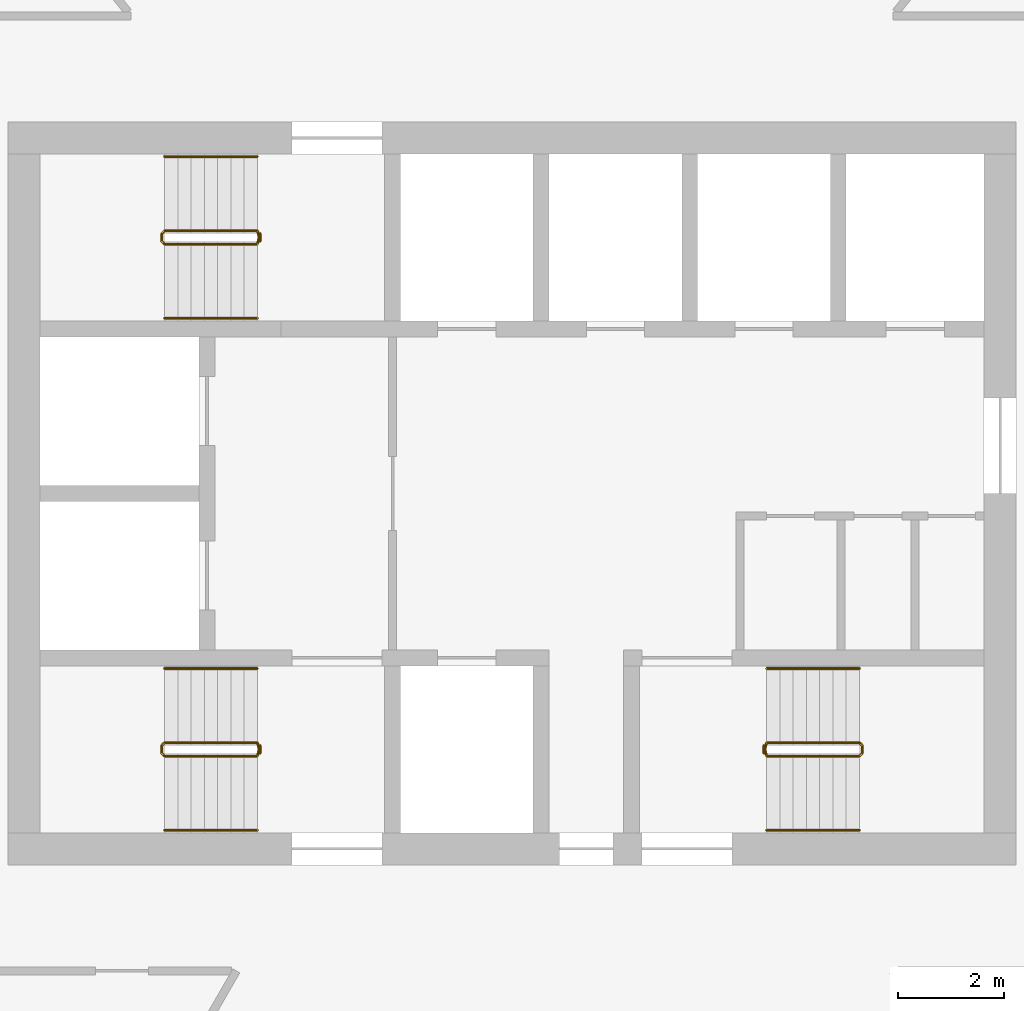
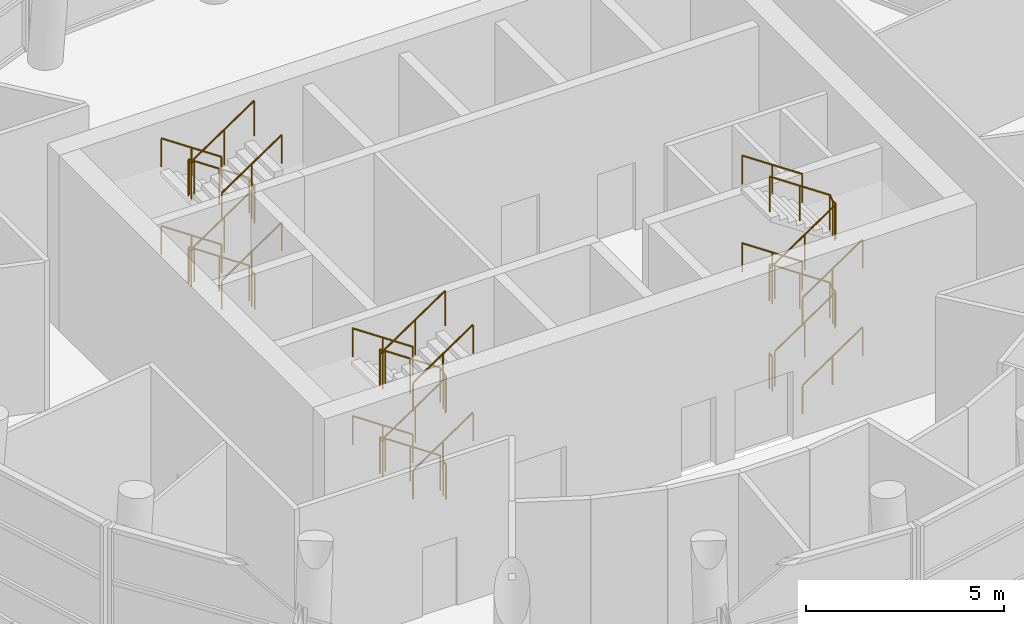
# One storey, part 10 of 11: 18 railings.
"""IFC4 building model written with IfcOpenShell, lengths in metres."""

from ifc_helpers import new_model, si_unit, direction, frame, origin, origin_2d, place, context, subcontext, project, spatial, circle, extrude, material, type_object, element, save


model = new_model("IFC4")

# Units and contexts
model_context = context("Model", 3, precision=1e-05, world=origin(), true_north=direction((0.0, 1.0)))
body_context = subcontext(model_context, "Body", "Model", "MODEL_VIEW")
ifc_project = project(units=[si_unit("LENGTHUNIT", "METRE"), si_unit("AREAUNIT", "SQUARE_METRE"), si_unit("VOLUMEUNIT", "CUBIC_METRE"), si_unit("PLANEANGLEUNIT", "RADIAN"), si_unit("MASSUNIT", "GRAM", prefix="KILO")], contexts=[model_context])

# Site, building, storey
site_placement = place(None, origin())
site = spatial("IfcSite", under=ifc_project, at=site_placement, CompositionType="ELEMENT")
building_placement = place(site_placement, origin())
building = spatial("IfcBuilding", under=site, at=building_placement, Name="Tracery Tower", CompositionType="ELEMENT")
storey_placement = place(building_placement, frame((0.0, 0.0, 346.800048828125)))
storey = spatial("IfcBuildingStorey", under=building, at=storey_placement, Name="L89", CompositionType="ELEMENT", Elevation=346.800048828125)

# Railings
ifc_material_1 = material(Name="Stainless steel and laminated glass", Category="steel")
railing_type_1 = type_object("IfcRailingType", Name="Stair guard 1100", PredefinedType="GUARDRAIL", material=ifc_material_1)
railing_1_placement = place(storey_placement, frame((-4.800048828125, -4.699951171875, 0.168701171875)))
element("IfcRailing", 1, at=railing_1_placement, inside=storey, type_object=railing_type_1, Name="L89 stair ST1 guard 1", PredefinedType="GUARDRAIL", context=body_context, shape_type="SweptSolid", body=[
    extrude(circle(Radius=0.02392578125, at=origin_2d()), frame((0.0, 0.0, 1.076171875), z_axis=(-0.828870122254, 0.0, 0.559441078608), x_axis=(0.0, -1.0, 0.0)), (0.0, 0.0, 1.0), 2.111328125),
    extrude(circle(Radius=0.02392578125, at=origin_2d()), frame((-1.75, 0.0, 2.25732421875), z_axis=(-0.707106781187, -0.707106781187, 0.0), x_axis=(0.707106781187, -0.707106781187, 0.0)), (0.0, 0.0, 1.0), 0.07080078125),
    extrude(circle(Radius=0.02392578125, at=origin_2d()), frame((-1.800048828125, -0.050048828125, 2.25732421875), z_axis=(0.0, -1.0, 0.0), x_axis=(1.0, 0.0, 0.0)), (0.0, 0.0, 1.0), 0.14990234375),
    extrude(circle(Radius=0.02392578125, at=origin_2d()), frame((-1.800048828125, -0.199951171875, 2.25732421875), z_axis=(0.273232802156, -0.273232802156, 0.922327312645), x_axis=(0.707106781187, 0.707106781187, 0.0)), (0.0, 0.0, 1.0), 0.18310546875),
    extrude(circle(Radius=0.02392578125, at=origin_2d()), frame((-1.75, -0.25, 2.42626953125), z_axis=(0.828870122254, 0.0, 0.559441078608), x_axis=(0.0, 1.0, 0.0)), (0.0, 0.0, 1.0), 2.111328125),
    extrude(circle(Radius=0.02392578125, at=origin_2d()), frame((0.0, -0.25, 3.607421875), z_axis=(0.242814311512, 0.970072785993, 0.0), x_axis=(-0.970072785993, 0.242814311512, 0.0)), (0.0, 0.0, 1.0), 0.2060546875),
    extrude(circle(Radius=0.02392578125, at=origin_2d()), frame((0.050048828125, -0.050048828125, 3.607421875), z_axis=(0.0, -1.0, 0.0), x_axis=(1.0, 0.0, 0.0)), (0.0, 0.0, 1.0), 0.14990234375),
    extrude(circle(Radius=0.02392578125, at=origin_2d()), frame((0.050048828125, -0.199951171875, 3.607421875), z_axis=(-0.187902113298, 0.750691857518, 0.633367611166), x_axis=(-0.970072785993, -0.242814311512, 0.0)), (0.0, 0.0, 1.0), 0.266357421875),
    extrude(circle(Radius=0.02392578125, at=origin_2d()), frame((0.0, 0.0, 3.77587890625), z_axis=(-0.828816501605, 0.0, 0.559520514965), x_axis=(0.0, -1.0, 0.0)), (0.0, 0.0, 1.0), 2.111328125),
    extrude(circle(Radius=0.02392578125, at=origin_2d()), frame((-1.75, 0.0, 4.95751953125), z_axis=(-0.707106781187, -0.707106781187, 0.0), x_axis=(0.707106781187, -0.707106781187, 0.0)), (0.0, 0.0, 1.0), 0.07080078125),
    extrude(circle(Radius=0.02392578125, at=origin_2d()), frame((-1.800048828125, -0.050048828125, 4.95751953125), z_axis=(0.0, -1.0, 0.0), x_axis=(1.0, 0.0, 0.0)), (0.0, 0.0, 1.0), 0.14990234375),
    extrude(circle(Radius=0.02392578125, at=origin_2d()), frame((-1.800048828125, -0.199951171875, 4.95751953125), z_axis=(0.273569069059, -0.273569069059, 0.922127935218), x_axis=(0.707106781187, 0.707106781187, 0.0)), (0.0, 0.0, 1.0), 0.182861328125),
    extrude(circle(Radius=0.02392578125, at=origin_2d()), frame((-1.75, -0.25, 5.1259765625), z_axis=(0.828870122254, 0.0, 0.559441078608), x_axis=(0.0, 1.0, 0.0)), (0.0, 0.0, 1.0), 2.111328125),
    extrude(circle(Radius=0.02099609375, at=origin_2d()), origin(), (0.0, 0.0, 1.0), 1.052001953125),
    extrude(circle(Radius=0.02099609375, at=origin_2d()), frame((-0.875, 0.0, 0.590576171875)), (0.0, 0.0, 1.0), 1.052001953125),
    extrude(circle(Radius=0.02099609375, at=origin_2d()), frame((-1.75, 0.0, 1.18115234375)), (0.0, 0.0, 1.0), 1.052001953125),
    extrude(circle(Radius=0.02099609375, at=origin_2d()), frame((-1.800048828125, -0.050048828125, 1.18115234375)), (0.0, 0.0, 1.0), 1.052001953125),
    extrude(circle(Radius=0.02099609375, at=origin_2d()), frame((-1.800048828125, -0.199951171875, 1.18115234375)), (0.0, 0.0, 1.0), 1.052001953125),
    extrude(circle(Radius=0.02099609375, at=origin_2d()), frame((-1.75, -0.25, 1.35009765625)), (0.0, 0.0, 1.0), 1.052001953125),
    extrude(circle(Radius=0.02099609375, at=origin_2d()), frame((-0.875, -0.25, 1.940673828125)), (0.0, 0.0, 1.0), 1.052001953125),
    extrude(circle(Radius=0.02099609375, at=origin_2d()), frame((0.0, -0.25, 2.53125)), (0.0, 0.0, 1.0), 1.052001953125),
    extrude(circle(Radius=0.02099609375, at=origin_2d()), frame((0.050048828125, -0.050048828125, 2.53125)), (0.0, 0.0, 1.0), 1.052001953125),
    extrude(circle(Radius=0.02099609375, at=origin_2d()), frame((0.050048828125, -0.199951171875, 2.53125)), (0.0, 0.0, 1.0), 1.052001953125),
    extrude(circle(Radius=0.02099609375, at=origin_2d()), frame((0.0, 0.0, 2.699951171875)), (0.0, 0.0, 1.0), 1.052001953125),
    extrude(circle(Radius=0.02099609375, at=origin_2d()), frame((-0.875, 0.0, 3.29052734375)), (0.0, 0.0, 1.0), 1.052001953125),
    extrude(circle(Radius=0.02099609375, at=origin_2d()), frame((-1.75, 0.0, 3.88134765625)), (0.0, 0.0, 1.0), 1.052001953125),
    extrude(circle(Radius=0.02099609375, at=origin_2d()), frame((-1.800048828125, -0.050048828125, 3.88134765625)), (0.0, 0.0, 1.0), 1.052001953125),
    extrude(circle(Radius=0.02099609375, at=origin_2d()), frame((-1.800048828125, -0.199951171875, 3.88134765625)), (0.0, 0.0, 1.0), 1.052001953125),
    extrude(circle(Radius=0.02099609375, at=origin_2d()), frame((-1.75, -0.25, 4.050048828125)), (0.0, 0.0, 1.0), 1.052001953125),
    extrude(circle(Radius=0.02099609375, at=origin_2d()), frame((-0.875, -0.25, 4.640625)), (0.0, 0.0, 1.0), 1.052001953125),
    extrude(circle(Radius=0.02099609375, at=origin_2d()), frame((0.0, -0.25, 5.231201171875)), (0.0, 0.0, 1.0), 1.052001953125),
])
railing_2_placement = place(storey_placement, frame((-4.75, -4.75, 0.0)))
element("IfcRailing", 2, at=railing_2_placement, inside=storey, type_object=railing_type_1, Name="L89 stair ST1 guard 2", PredefinedType="GUARDRAIL", context=body_context, shape_type="SweptSolid", body=[
    extrude(circle(Radius=0.02392578125, at=origin_2d()), frame((0.0, 0.0, 1.076171875), z_axis=(0.0, -1.0, 0.0), x_axis=(1.0, 0.0, 0.0)), (0.0, 0.0, 1.0), 0.14990234375),
    extrude(circle(Radius=0.02099609375, at=origin_2d()), origin(), (0.0, 0.0, 1.0), 1.052001953125),
    extrude(circle(Radius=0.02099609375, at=origin_2d()), frame((0.0, -0.14990234375, 0.0)), (0.0, 0.0, 1.0), 1.052001953125),
])
railing_3_placement = place(storey_placement, frame((-4.800048828125, 4.949951171875, 0.168701171875)))
element("IfcRailing", 3, at=railing_3_placement, inside=storey, type_object=railing_type_1, Name="L89 stair ST3 guard 1", PredefinedType="GUARDRAIL", context=body_context, shape_type="SweptSolid", body=[
    extrude(circle(Radius=0.02392578125, at=origin_2d()), frame((0.0, 0.0, 1.076171875), z_axis=(-0.828870122254, 0.0, 0.559441078608), x_axis=(0.0, -1.0, 0.0)), (0.0, 0.0, 1.0), 2.111328125),
    extrude(circle(Radius=0.02392578125, at=origin_2d()), frame((-1.75, 0.0, 2.25732421875), z_axis=(-0.707106781187, -0.707106781187, 0.0), x_axis=(0.707106781187, -0.707106781187, 0.0)), (0.0, 0.0, 1.0), 0.07080078125),
    extrude(circle(Radius=0.02392578125, at=origin_2d()), frame((-1.800048828125, -0.050048828125, 2.25732421875), z_axis=(0.0, -1.0, 0.0), x_axis=(1.0, 0.0, 0.0)), (0.0, 0.0, 1.0), 0.14990234375),
    extrude(circle(Radius=0.02392578125, at=origin_2d()), frame((-1.800048828125, -0.199951171875, 2.25732421875), z_axis=(0.273232802156, -0.273232802156, 0.922327312645), x_axis=(0.707106781187, 0.707106781187, 0.0)), (0.0, 0.0, 1.0), 0.18310546875),
    extrude(circle(Radius=0.02392578125, at=origin_2d()), frame((-1.75, -0.25, 2.42626953125), z_axis=(0.828870122254, 0.0, 0.559441078608), x_axis=(0.0, 1.0, 0.0)), (0.0, 0.0, 1.0), 2.111328125),
    extrude(circle(Radius=0.02392578125, at=origin_2d()), frame((0.0, -0.25, 3.607421875), z_axis=(0.242814311512, 0.970072785993, 0.0), x_axis=(-0.970072785993, 0.242814311512, 0.0)), (0.0, 0.0, 1.0), 0.2060546875),
    extrude(circle(Radius=0.02392578125, at=origin_2d()), frame((0.050048828125, -0.050048828125, 3.607421875), z_axis=(0.0, -1.0, 0.0), x_axis=(1.0, 0.0, 0.0)), (0.0, 0.0, 1.0), 0.14990234375),
    extrude(circle(Radius=0.02392578125, at=origin_2d()), frame((0.050048828125, -0.199951171875, 3.607421875), z_axis=(-0.187902113298, 0.750691857518, 0.633367611166), x_axis=(-0.970072785993, -0.242814311512, 0.0)), (0.0, 0.0, 1.0), 0.266357421875),
    extrude(circle(Radius=0.02392578125, at=origin_2d()), frame((0.0, 0.0, 3.77587890625), z_axis=(-0.828816501605, 0.0, 0.559520514965), x_axis=(0.0, -1.0, 0.0)), (0.0, 0.0, 1.0), 2.111328125),
    extrude(circle(Radius=0.02392578125, at=origin_2d()), frame((-1.75, 0.0, 4.95751953125), z_axis=(-0.707106781187, -0.707106781187, 0.0), x_axis=(0.707106781187, -0.707106781187, 0.0)), (0.0, 0.0, 1.0), 0.07080078125),
    extrude(circle(Radius=0.02392578125, at=origin_2d()), frame((-1.800048828125, -0.050048828125, 4.95751953125), z_axis=(0.0, -1.0, 0.0), x_axis=(1.0, 0.0, 0.0)), (0.0, 0.0, 1.0), 0.14990234375),
    extrude(circle(Radius=0.02392578125, at=origin_2d()), frame((-1.800048828125, -0.199951171875, 4.95751953125), z_axis=(0.273569069059, -0.273569069059, 0.922127935218), x_axis=(0.707106781187, 0.707106781187, 0.0)), (0.0, 0.0, 1.0), 0.182861328125),
    extrude(circle(Radius=0.02392578125, at=origin_2d()), frame((-1.75, -0.25, 5.1259765625), z_axis=(0.828870122254, 0.0, 0.559441078608), x_axis=(0.0, 1.0, 0.0)), (0.0, 0.0, 1.0), 2.111328125),
    extrude(circle(Radius=0.02099609375, at=origin_2d()), origin(), (0.0, 0.0, 1.0), 1.052001953125),
    extrude(circle(Radius=0.02099609375, at=origin_2d()), frame((-0.875, 0.0, 0.590576171875)), (0.0, 0.0, 1.0), 1.052001953125),
    extrude(circle(Radius=0.02099609375, at=origin_2d()), frame((-1.75, 0.0, 1.18115234375)), (0.0, 0.0, 1.0), 1.052001953125),
    extrude(circle(Radius=0.02099609375, at=origin_2d()), frame((-1.800048828125, -0.050048828125, 1.18115234375)), (0.0, 0.0, 1.0), 1.052001953125),
    extrude(circle(Radius=0.02099609375, at=origin_2d()), frame((-1.800048828125, -0.199951171875, 1.18115234375)), (0.0, 0.0, 1.0), 1.052001953125),
    extrude(circle(Radius=0.02099609375, at=origin_2d()), frame((-1.75, -0.25, 1.35009765625)), (0.0, 0.0, 1.0), 1.052001953125),
    extrude(circle(Radius=0.02099609375, at=origin_2d()), frame((-0.875, -0.25, 1.940673828125)), (0.0, 0.0, 1.0), 1.052001953125),
    extrude(circle(Radius=0.02099609375, at=origin_2d()), frame((0.0, -0.25, 2.53125)), (0.0, 0.0, 1.0), 1.052001953125),
    extrude(circle(Radius=0.02099609375, at=origin_2d()), frame((0.050048828125, -0.050048828125, 2.53125)), (0.0, 0.0, 1.0), 1.052001953125),
    extrude(circle(Radius=0.02099609375, at=origin_2d()), frame((0.050048828125, -0.199951171875, 2.53125)), (0.0, 0.0, 1.0), 1.052001953125),
    extrude(circle(Radius=0.02099609375, at=origin_2d()), frame((0.0, 0.0, 2.699951171875)), (0.0, 0.0, 1.0), 1.052001953125),
    extrude(circle(Radius=0.02099609375, at=origin_2d()), frame((-0.875, 0.0, 3.29052734375)), (0.0, 0.0, 1.0), 1.052001953125),
    extrude(circle(Radius=0.02099609375, at=origin_2d()), frame((-1.75, 0.0, 3.88134765625)), (0.0, 0.0, 1.0), 1.052001953125),
    extrude(circle(Radius=0.02099609375, at=origin_2d()), frame((-1.800048828125, -0.050048828125, 3.88134765625)), (0.0, 0.0, 1.0), 1.052001953125),
    extrude(circle(Radius=0.02099609375, at=origin_2d()), frame((-1.800048828125, -0.199951171875, 3.88134765625)), (0.0, 0.0, 1.0), 1.052001953125),
    extrude(circle(Radius=0.02099609375, at=origin_2d()), frame((-1.75, -0.25, 4.050048828125)), (0.0, 0.0, 1.0), 1.052001953125),
    extrude(circle(Radius=0.02099609375, at=origin_2d()), frame((-0.875, -0.25, 4.640625)), (0.0, 0.0, 1.0), 1.052001953125),
    extrude(circle(Radius=0.02099609375, at=origin_2d()), frame((0.0, -0.25, 5.231201171875)), (0.0, 0.0, 1.0), 1.052001953125),
])
railing_4_placement = place(storey_placement, frame((-4.75, 4.89990234375, 0.0)))
element("IfcRailing", 4, at=railing_4_placement, inside=storey, type_object=railing_type_1, Name="L89 stair ST3 guard 2", PredefinedType="GUARDRAIL", context=body_context, shape_type="SweptSolid", body=[
    extrude(circle(Radius=0.02392578125, at=origin_2d()), frame((0.0, 0.0, 1.076171875), z_axis=(0.0, -1.0, 0.0), x_axis=(1.0, 0.0, 0.0)), (0.0, 0.0, 1.0), 0.14990234375),
    extrude(circle(Radius=0.02099609375, at=origin_2d()), origin(), (0.0, 0.0, 1.0), 1.052001953125),
    extrude(circle(Radius=0.02099609375, at=origin_2d()), frame((0.0, -0.14990234375, 0.0)), (0.0, 0.0, 1.0), 1.052001953125),
])
railing_5_placement = place(storey_placement, frame((4.800048828125, -4.949951171875, 0.168701171875)))
element("IfcRailing", 5, at=railing_5_placement, inside=storey, type_object=railing_type_1, Name="L89 stair ST2 guard 1", PredefinedType="GUARDRAIL", context=body_context, shape_type="SweptSolid", body=[
    extrude(circle(Radius=0.02392578125, at=origin_2d()), frame((0.0, 0.0, 1.076171875), z_axis=(0.828870122254, 0.0, 0.559441078608), x_axis=(0.0, 1.0, 0.0)), (0.0, 0.0, 1.0), 2.111328125),
    extrude(circle(Radius=0.02392578125, at=origin_2d()), frame((1.75, 0.0, 2.25732421875), z_axis=(0.707106781187, 0.707106781187, 0.0), x_axis=(-0.707106781187, 0.707106781187, 0.0)), (0.0, 0.0, 1.0), 0.07080078125),
    extrude(circle(Radius=0.02392578125, at=origin_2d()), frame((1.800048828125, 0.050048828125, 2.25732421875), z_axis=(0.0, 1.0, 0.0), x_axis=(-1.0, 0.0, 0.0)), (0.0, 0.0, 1.0), 0.14990234375),
    extrude(circle(Radius=0.02392578125, at=origin_2d()), frame((1.800048828125, 0.199951171875, 2.25732421875), z_axis=(-0.273232802156, 0.273232802156, 0.922327312645), x_axis=(-0.707106781187, -0.707106781187, 0.0)), (0.0, 0.0, 1.0), 0.18310546875),
    extrude(circle(Radius=0.02392578125, at=origin_2d()), frame((1.75, 0.25, 2.42626953125), z_axis=(-0.828870122254, 0.0, 0.559441078608), x_axis=(0.0, -1.0, 0.0)), (0.0, 0.0, 1.0), 2.111328125),
    extrude(circle(Radius=0.02392578125, at=origin_2d()), frame((0.0, 0.25, 3.607421875), z_axis=(-0.242814311512, -0.970072785993, 0.0), x_axis=(0.970072785993, -0.242814311512, 0.0)), (0.0, 0.0, 1.0), 0.2060546875),
    extrude(circle(Radius=0.02392578125, at=origin_2d()), frame((-0.050048828125, 0.050048828125, 3.607421875), z_axis=(0.0, 1.0, 0.0), x_axis=(-1.0, 0.0, 0.0)), (0.0, 0.0, 1.0), 0.14990234375),
    extrude(circle(Radius=0.02392578125, at=origin_2d()), frame((-0.050048828125, 0.199951171875, 3.607421875), z_axis=(0.187902113298, -0.750691857518, 0.633367611166), x_axis=(0.970072785993, 0.242814311512, 0.0)), (0.0, 0.0, 1.0), 0.266357421875),
    extrude(circle(Radius=0.02392578125, at=origin_2d()), frame((0.0, 0.0, 3.77587890625), z_axis=(0.828816501605, 0.0, 0.559520514965), x_axis=(0.0, 1.0, 0.0)), (0.0, 0.0, 1.0), 2.111328125),
    extrude(circle(Radius=0.02392578125, at=origin_2d()), frame((1.75, 0.0, 4.95751953125), z_axis=(0.707106781187, 0.707106781187, 0.0), x_axis=(-0.707106781187, 0.707106781187, 0.0)), (0.0, 0.0, 1.0), 0.07080078125),
    extrude(circle(Radius=0.02392578125, at=origin_2d()), frame((1.800048828125, 0.050048828125, 4.95751953125), z_axis=(0.0, 1.0, 0.0), x_axis=(-1.0, 0.0, 0.0)), (0.0, 0.0, 1.0), 0.14990234375),
    extrude(circle(Radius=0.02392578125, at=origin_2d()), frame((1.800048828125, 0.199951171875, 4.95751953125), z_axis=(-0.273569069059, 0.273569069059, 0.922127935218), x_axis=(-0.707106781187, -0.707106781187, 0.0)), (0.0, 0.0, 1.0), 0.182861328125),
    extrude(circle(Radius=0.02392578125, at=origin_2d()), frame((1.75, 0.25, 5.1259765625), z_axis=(-0.828870122254, 0.0, 0.559441078608), x_axis=(0.0, -1.0, 0.0)), (0.0, 0.0, 1.0), 2.111328125),
    extrude(circle(Radius=0.02099609375, at=origin_2d()), origin(), (0.0, 0.0, 1.0), 1.052001953125),
    extrude(circle(Radius=0.02099609375, at=origin_2d()), frame((0.875, 0.0, 0.590576171875)), (0.0, 0.0, 1.0), 1.052001953125),
    extrude(circle(Radius=0.02099609375, at=origin_2d()), frame((1.75, 0.0, 1.18115234375)), (0.0, 0.0, 1.0), 1.052001953125),
    extrude(circle(Radius=0.02099609375, at=origin_2d()), frame((1.800048828125, 0.050048828125, 1.18115234375)), (0.0, 0.0, 1.0), 1.052001953125),
    extrude(circle(Radius=0.02099609375, at=origin_2d()), frame((1.800048828125, 0.199951171875, 1.18115234375)), (0.0, 0.0, 1.0), 1.052001953125),
    extrude(circle(Radius=0.02099609375, at=origin_2d()), frame((1.75, 0.25, 1.35009765625)), (0.0, 0.0, 1.0), 1.052001953125),
    extrude(circle(Radius=0.02099609375, at=origin_2d()), frame((0.875, 0.25, 1.940673828125)), (0.0, 0.0, 1.0), 1.052001953125),
    extrude(circle(Radius=0.02099609375, at=origin_2d()), frame((0.0, 0.25, 2.53125)), (0.0, 0.0, 1.0), 1.052001953125),
    extrude(circle(Radius=0.02099609375, at=origin_2d()), frame((-0.050048828125, 0.050048828125, 2.53125)), (0.0, 0.0, 1.0), 1.052001953125),
    extrude(circle(Radius=0.02099609375, at=origin_2d()), frame((-0.050048828125, 0.199951171875, 2.53125)), (0.0, 0.0, 1.0), 1.052001953125),
    extrude(circle(Radius=0.02099609375, at=origin_2d()), frame((0.0, 0.0, 2.699951171875)), (0.0, 0.0, 1.0), 1.052001953125),
    extrude(circle(Radius=0.02099609375, at=origin_2d()), frame((0.875, 0.0, 3.29052734375)), (0.0, 0.0, 1.0), 1.052001953125),
    extrude(circle(Radius=0.02099609375, at=origin_2d()), frame((1.75, 0.0, 3.88134765625)), (0.0, 0.0, 1.0), 1.052001953125),
    extrude(circle(Radius=0.02099609375, at=origin_2d()), frame((1.800048828125, 0.050048828125, 3.88134765625)), (0.0, 0.0, 1.0), 1.052001953125),
    extrude(circle(Radius=0.02099609375, at=origin_2d()), frame((1.800048828125, 0.199951171875, 3.88134765625)), (0.0, 0.0, 1.0), 1.052001953125),
    extrude(circle(Radius=0.02099609375, at=origin_2d()), frame((1.75, 0.25, 4.050048828125)), (0.0, 0.0, 1.0), 1.052001953125),
    extrude(circle(Radius=0.02099609375, at=origin_2d()), frame((0.875, 0.25, 4.640625)), (0.0, 0.0, 1.0), 1.052001953125),
    extrude(circle(Radius=0.02099609375, at=origin_2d()), frame((0.0, 0.25, 5.231201171875)), (0.0, 0.0, 1.0), 1.052001953125),
])
railing_6_placement = place(storey_placement, frame((4.75, -4.89990234375, 0.0)))
element("IfcRailing", 6, at=railing_6_placement, inside=storey, type_object=railing_type_1, Name="L89 stair ST2 guard 2", PredefinedType="GUARDRAIL", context=body_context, shape_type="SweptSolid", body=[
    extrude(circle(Radius=0.02392578125, at=origin_2d()), frame((0.0, 0.0, 1.076171875), z_axis=(0.0, 1.0, 0.0), x_axis=(-1.0, 0.0, 0.0)), (0.0, 0.0, 1.0), 0.14990234375),
    extrude(circle(Radius=0.02099609375, at=origin_2d()), origin(), (0.0, 0.0, 1.0), 1.052001953125),
    extrude(circle(Radius=0.02099609375, at=origin_2d()), frame((0.0, 0.14990234375, 0.0)), (0.0, 0.0, 1.0), 1.052001953125),
])
ifc_material_2 = material(Name="Stainless steel and laminated glass", Category="steel")
railing_type_2 = type_object("IfcRailingType", Name="Stair handrail 900", PredefinedType="HANDRAIL", material=ifc_material_2)
railing_7_placement = place(storey_placement, frame((-4.800048828125, -3.300048828125, 0.168701171875)))
element("IfcRailing", 7, at=railing_7_placement, inside=storey, type_object=railing_type_2, Name="L89 stair ST1 handrail 1", PredefinedType="HANDRAIL", context=body_context, shape_type="SweptSolid", body=[
    extrude(circle(Radius=0.02392578125, at=origin_2d()), frame((0.0, 0.0, 0.8759765625), z_axis=(-0.828870122254, 0.0, 0.559441078608), x_axis=(0.0, -1.0, 0.0)), (0.0, 0.0, 1.0), 2.111328125),
    extrude(circle(Radius=0.02099609375, at=origin_2d()), origin(), (0.0, 0.0, 1.0), 0.851806640625),
    extrude(circle(Radius=0.02099609375, at=origin_2d()), frame((-0.875, 0.0, 0.590576171875)), (0.0, 0.0, 1.0), 0.851806640625),
    extrude(circle(Radius=0.02099609375, at=origin_2d()), frame((-1.75, 0.0, 1.18115234375)), (0.0, 0.0, 1.0), 0.851806640625),
])
railing_8_placement = place(storey_placement, frame((-6.550048828125, -6.35009765625, 1.518798828125)))
element("IfcRailing", 8, at=railing_8_placement, inside=storey, type_object=railing_type_2, Name="L89 stair ST1 handrail 2", PredefinedType="HANDRAIL", context=body_context, shape_type="SweptSolid", body=[
    extrude(circle(Radius=0.02392578125, at=origin_2d()), frame((0.0, 0.0, 0.8759765625), z_axis=(0.828870122254, 0.0, 0.559441078608), x_axis=(0.0, 1.0, 0.0)), (0.0, 0.0, 1.0), 2.111328125),
    extrude(circle(Radius=0.02099609375, at=origin_2d()), origin(), (0.0, 0.0, 1.0), 0.851806640625),
    extrude(circle(Radius=0.02099609375, at=origin_2d()), frame((0.875, 0.0, 0.590576171875)), (0.0, 0.0, 1.0), 0.851806640625),
    extrude(circle(Radius=0.02099609375, at=origin_2d()), frame((1.75, 0.0, 1.18115234375)), (0.0, 0.0, 1.0), 0.851806640625),
])
railing_9_placement = place(storey_placement, frame((-4.800048828125, -3.300048828125, 2.86865234375)))
element("IfcRailing", 9, at=railing_9_placement, inside=storey, type_object=railing_type_2, Name="L89 stair ST1 handrail 3", PredefinedType="HANDRAIL", context=body_context, shape_type="SweptSolid", body=[
    extrude(circle(Radius=0.02392578125, at=origin_2d()), frame((0.0, 0.0, 0.8759765625), z_axis=(-0.828816501605, 0.0, 0.559520514965), x_axis=(0.0, -1.0, 0.0)), (0.0, 0.0, 1.0), 2.111328125),
    extrude(circle(Radius=0.02099609375, at=origin_2d()), origin(), (0.0, 0.0, 1.0), 0.851806640625),
    extrude(circle(Radius=0.02099609375, at=origin_2d()), frame((-0.875, 0.0, 0.5908203125)), (0.0, 0.0, 1.0), 0.851806640625),
    extrude(circle(Radius=0.02099609375, at=origin_2d()), frame((-1.75, 0.0, 1.181396484375)), (0.0, 0.0, 1.0), 0.851806640625),
])
railing_10_placement = place(storey_placement, frame((-6.550048828125, -6.35009765625, 4.21875)))
element("IfcRailing", 10, at=railing_10_placement, inside=storey, type_object=railing_type_2, Name="L89 stair ST1 handrail 4", PredefinedType="HANDRAIL", context=body_context, shape_type="SweptSolid", body=[
    extrude(circle(Radius=0.02392578125, at=origin_2d()), frame((0.0, 0.0, 0.8759765625), z_axis=(0.828870122254, 0.0, 0.559441078608), x_axis=(0.0, 1.0, 0.0)), (0.0, 0.0, 1.0), 2.111328125),
    extrude(circle(Radius=0.02099609375, at=origin_2d()), origin(), (0.0, 0.0, 1.0), 0.851806640625),
    extrude(circle(Radius=0.02099609375, at=origin_2d()), frame((0.875, 0.0, 0.590576171875)), (0.0, 0.0, 1.0), 0.851806640625),
    extrude(circle(Radius=0.02099609375, at=origin_2d()), frame((1.75, 0.0, 1.18115234375)), (0.0, 0.0, 1.0), 0.851806640625),
])
railing_11_placement = place(storey_placement, frame((-4.800048828125, 6.35009765625, 0.168701171875)))
element("IfcRailing", 11, at=railing_11_placement, inside=storey, type_object=railing_type_2, Name="L89 stair ST3 handrail 1", PredefinedType="HANDRAIL", context=body_context, shape_type="SweptSolid", body=[
    extrude(circle(Radius=0.02392578125, at=origin_2d()), frame((0.0, 0.0, 0.8759765625), z_axis=(-0.828870122254, 0.0, 0.559441078608), x_axis=(0.0, -1.0, 0.0)), (0.0, 0.0, 1.0), 2.111328125),
    extrude(circle(Radius=0.02099609375, at=origin_2d()), origin(), (0.0, 0.0, 1.0), 0.851806640625),
    extrude(circle(Radius=0.02099609375, at=origin_2d()), frame((-0.875, 0.0, 0.590576171875)), (0.0, 0.0, 1.0), 0.851806640625),
    extrude(circle(Radius=0.02099609375, at=origin_2d()), frame((-1.75, 0.0, 1.18115234375)), (0.0, 0.0, 1.0), 0.851806640625),
])
railing_12_placement = place(storey_placement, frame((-6.550048828125, 3.300048828125, 1.518798828125)))
element("IfcRailing", 12, at=railing_12_placement, inside=storey, type_object=railing_type_2, Name="L89 stair ST3 handrail 2", PredefinedType="HANDRAIL", context=body_context, shape_type="SweptSolid", body=[
    extrude(circle(Radius=0.02392578125, at=origin_2d()), frame((0.0, 0.0, 0.8759765625), z_axis=(0.828870122254, 0.0, 0.559441078608), x_axis=(0.0, 1.0, 0.0)), (0.0, 0.0, 1.0), 2.111328125),
    extrude(circle(Radius=0.02099609375, at=origin_2d()), origin(), (0.0, 0.0, 1.0), 0.851806640625),
    extrude(circle(Radius=0.02099609375, at=origin_2d()), frame((0.875, 0.0, 0.590576171875)), (0.0, 0.0, 1.0), 0.851806640625),
    extrude(circle(Radius=0.02099609375, at=origin_2d()), frame((1.75, 0.0, 1.18115234375)), (0.0, 0.0, 1.0), 0.851806640625),
])
railing_13_placement = place(storey_placement, frame((-4.800048828125, 6.35009765625, 2.86865234375)))
element("IfcRailing", 13, at=railing_13_placement, inside=storey, type_object=railing_type_2, Name="L89 stair ST3 handrail 3", PredefinedType="HANDRAIL", context=body_context, shape_type="SweptSolid", body=[
    extrude(circle(Radius=0.02392578125, at=origin_2d()), frame((0.0, 0.0, 0.8759765625), z_axis=(-0.828816501605, 0.0, 0.559520514965), x_axis=(0.0, -1.0, 0.0)), (0.0, 0.0, 1.0), 2.111328125),
    extrude(circle(Radius=0.02099609375, at=origin_2d()), origin(), (0.0, 0.0, 1.0), 0.851806640625),
    extrude(circle(Radius=0.02099609375, at=origin_2d()), frame((-0.875, 0.0, 0.5908203125)), (0.0, 0.0, 1.0), 0.851806640625),
    extrude(circle(Radius=0.02099609375, at=origin_2d()), frame((-1.75, 0.0, 1.181396484375)), (0.0, 0.0, 1.0), 0.851806640625),
])
for number, where, name in (
    (14, (-6.550048828125, 3.300048828125, 4.21875), "L89 stair ST3 handrail 4"),
    (15, (4.800048828125, -6.35009765625, 0.168701171875), "L89 stair ST2 handrail 1"),
):
    element("IfcRailing", number, at=place(storey_placement, frame(where)), inside=storey, type_object=railing_type_2, Name=name, PredefinedType="HANDRAIL", context=body_context, shape_type="SweptSolid", body=[
        extrude(circle(Radius=0.02392578125, at=origin_2d()), frame((0.0, 0.0, 0.8759765625), z_axis=(0.828870122254, 0.0, 0.559441078608), x_axis=(0.0, 1.0, 0.0)), (0.0, 0.0, 1.0), 2.111328125),
        extrude(circle(Radius=0.02099609375, at=origin_2d()), origin(), (0.0, 0.0, 1.0), 0.851806640625),
        extrude(circle(Radius=0.02099609375, at=origin_2d()), frame((0.875, 0.0, 0.590576171875)), (0.0, 0.0, 1.0), 0.851806640625),
        extrude(circle(Radius=0.02099609375, at=origin_2d()), frame((1.75, 0.0, 1.18115234375)), (0.0, 0.0, 1.0), 0.851806640625),
    ])
railing_14_placement = place(storey_placement, frame((6.550048828125, -3.300048828125, 1.518798828125)))
element("IfcRailing", 16, at=railing_14_placement, inside=storey, type_object=railing_type_2, Name="L89 stair ST2 handrail 2", PredefinedType="HANDRAIL", context=body_context, shape_type="SweptSolid", body=[
    extrude(circle(Radius=0.02392578125, at=origin_2d()), frame((0.0, 0.0, 0.8759765625), z_axis=(-0.828870122254, 0.0, 0.559441078608), x_axis=(0.0, -1.0, 0.0)), (0.0, 0.0, 1.0), 2.111328125),
    extrude(circle(Radius=0.02099609375, at=origin_2d()), origin(), (0.0, 0.0, 1.0), 0.851806640625),
    extrude(circle(Radius=0.02099609375, at=origin_2d()), frame((-0.875, 0.0, 0.590576171875)), (0.0, 0.0, 1.0), 0.851806640625),
    extrude(circle(Radius=0.02099609375, at=origin_2d()), frame((-1.75, 0.0, 1.18115234375)), (0.0, 0.0, 1.0), 0.851806640625),
])
railing_15_placement = place(storey_placement, frame((4.800048828125, -6.35009765625, 2.86865234375)))
element("IfcRailing", 17, at=railing_15_placement, inside=storey, type_object=railing_type_2, Name="L89 stair ST2 handrail 3", PredefinedType="HANDRAIL", context=body_context, shape_type="SweptSolid", body=[
    extrude(circle(Radius=0.02392578125, at=origin_2d()), frame((0.0, 0.0, 0.8759765625), z_axis=(0.828816501605, 0.0, 0.559520514965), x_axis=(0.0, 1.0, 0.0)), (0.0, 0.0, 1.0), 2.111328125),
    extrude(circle(Radius=0.02099609375, at=origin_2d()), origin(), (0.0, 0.0, 1.0), 0.851806640625),
    extrude(circle(Radius=0.02099609375, at=origin_2d()), frame((0.875, 0.0, 0.5908203125)), (0.0, 0.0, 1.0), 0.851806640625),
    extrude(circle(Radius=0.02099609375, at=origin_2d()), frame((1.75, 0.0, 1.181396484375)), (0.0, 0.0, 1.0), 0.851806640625),
])
railing_16_placement = place(storey_placement, frame((6.550048828125, -3.300048828125, 4.21875)))
element("IfcRailing", 18, at=railing_16_placement, inside=storey, type_object=railing_type_2, Name="L89 stair ST2 handrail 4", PredefinedType="HANDRAIL", context=body_context, shape_type="SweptSolid", body=[
    extrude(circle(Radius=0.02392578125, at=origin_2d()), frame((0.0, 0.0, 0.8759765625), z_axis=(-0.828870122254, 0.0, 0.559441078608), x_axis=(0.0, -1.0, 0.0)), (0.0, 0.0, 1.0), 2.111328125),
    extrude(circle(Radius=0.02099609375, at=origin_2d()), origin(), (0.0, 0.0, 1.0), 0.851806640625),
    extrude(circle(Radius=0.02099609375, at=origin_2d()), frame((-0.875, 0.0, 0.590576171875)), (0.0, 0.0, 1.0), 0.851806640625),
    extrude(circle(Radius=0.02099609375, at=origin_2d()), frame((-1.75, 0.0, 1.18115234375)), (0.0, 0.0, 1.0), 0.851806640625),
])

save(model, "model.ifc")
